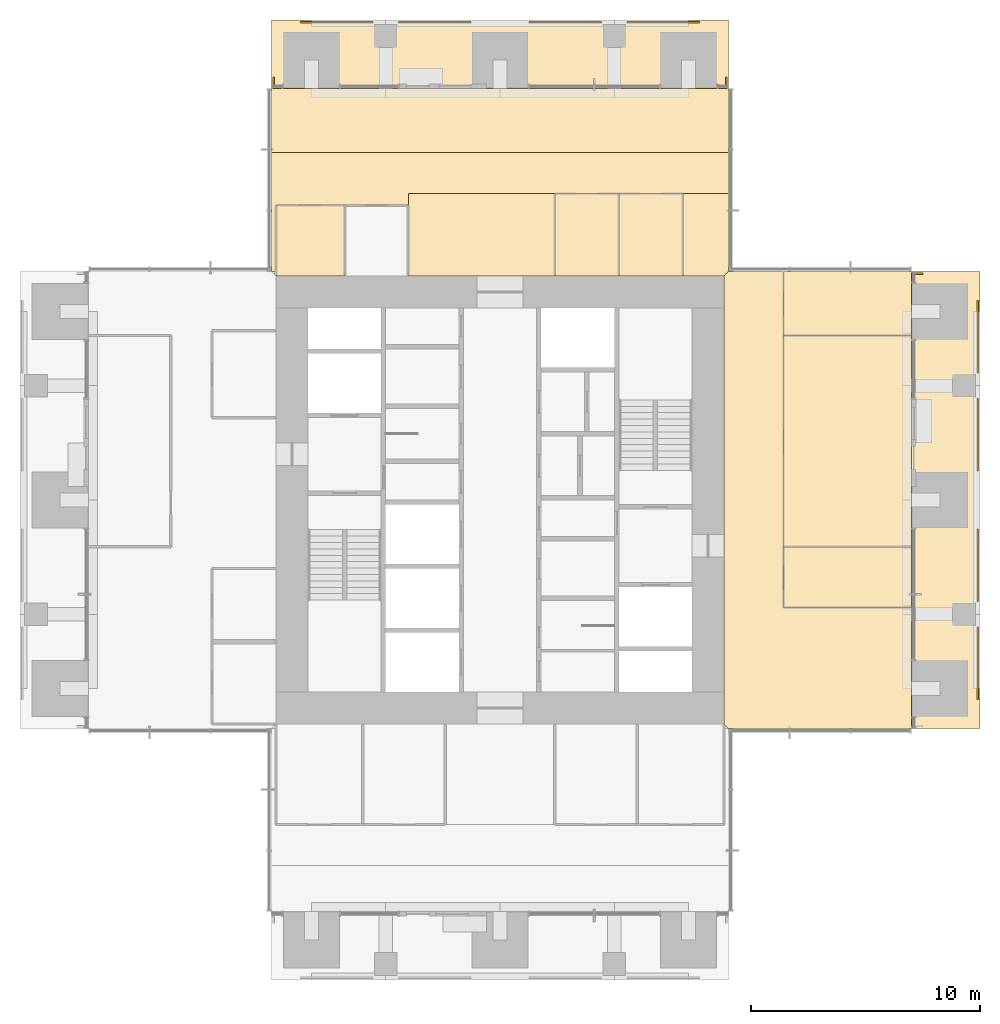
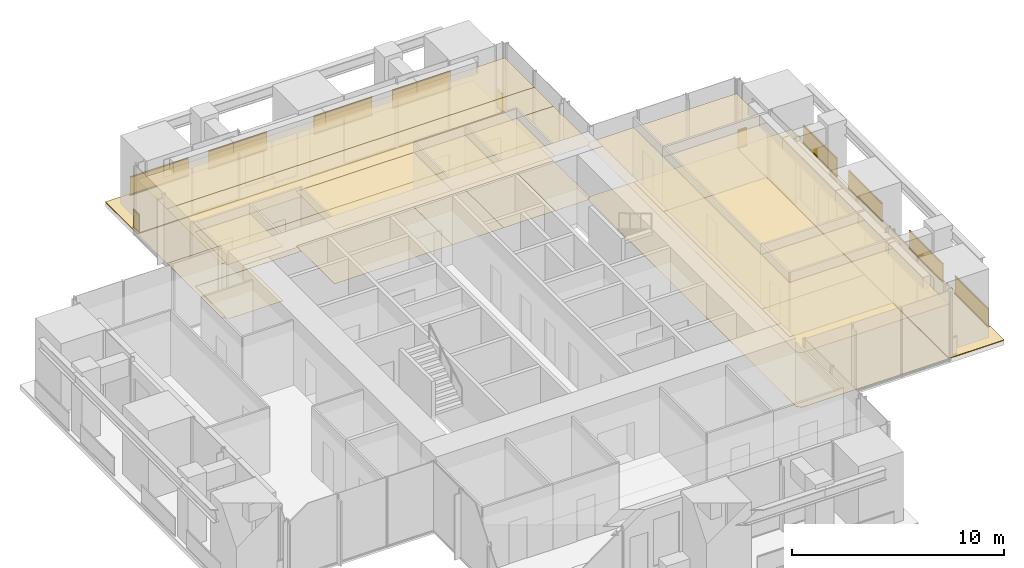
# One storey, part 16 of 17: 24 coverings, 11 railings.
"""IFC4 building model written with IfcOpenShell, lengths in metres."""

from ifc_helpers import new_model, si_unit, direction, frame, origin, origin_2d, place, context, subcontext, project, spatial, polyline, rectangle, outline, extrude, material, layer, layer_set, type_object, element, save


model = new_model("IFC4")

# Units and contexts
model_context = context("Model", 3, precision=1e-05, world=origin(), true_north=direction((0.0, 1.0)))
body_context = subcontext(model_context, "Body", "Model", "MODEL_VIEW")
ifc_project = project(units=[si_unit("LENGTHUNIT", "METRE"), si_unit("AREAUNIT", "SQUARE_METRE"), si_unit("VOLUMEUNIT", "CUBIC_METRE"), si_unit("PLANEANGLEUNIT", "RADIAN"), si_unit("MASSUNIT", "GRAM", prefix="KILO")], contexts=[model_context])

# Site, building, storey
site_placement = place(None, origin())
site = spatial("IfcSite", under=ifc_project, at=site_placement, CompositionType="ELEMENT")
building_placement = place(site_placement, origin())
building = spatial("IfcBuilding", under=site, at=building_placement, Name="Svetlomir Tower", CompositionType="ELEMENT")
storey_placement = place(building_placement, frame((0.0, 0.0, 198.5)))
storey = spatial("IfcBuildingStorey", under=building, at=storey_placement, Name="L47", CompositionType="ELEMENT", Elevation=198.5)

# Railings
ifc_material_1 = material(Name="Bronze anodised aluminium and laminated glass", Category="aluminium")
railing_type = type_object("IfcRailingType", Name="BALCONY GUARD GR1 1100", PredefinedType="GUARDRAIL", material=ifc_material_1)
for number, where, name in (
    (1, (41.89990234375, 12.27490234375, 0.0), "Loggia guard E L47 bay 1"),
    (2, (41.89990234375, 16.550048828125, 0.0), "Loggia guard E L47 bay 2"),
    (3, (41.89990234375, 22.27490234375, 0.0), "Loggia guard E L47 bay 3"),
    (4, (41.89990234375, 26.550048828125, 0.0), "Loggia guard E L47 bay 4"),
):
    element("IfcRailing", number, at=place(storey_placement, frame(where)), inside=storey, type_object=railing_type, Name=name, PredefinedType="GUARDRAIL", context=body_context, shape_type="SweptSolid", body=[
        extrude(rectangle(XDim=0.06005859375, YDim=0.10009765625, at=origin_2d()), frame((0.0, 0.0, 0.050048828125), z_axis=(0.0, 1.0, 0.0), x_axis=(-1.0, 0.0, 0.0)), (0.0, 0.0, 1.0), 3.175048828125),
        extrude(rectangle(XDim=0.021484375, YDim=0.960205078125, at=origin_2d()), frame((0.0, 0.0, 0.580078125), z_axis=(0.0, 1.0, 0.0), x_axis=(-1.0, 0.0, 0.0)), (0.0, 0.0, 1.0), 3.175048828125),
        extrude(rectangle(XDim=0.06005859375, YDim=0.0400390625, at=origin_2d()), frame((0.0, 0.0, 1.080078125), z_axis=(0.0, 1.0, 0.0), x_axis=(-1.0, 0.0, 0.0)), (0.0, 0.0, 1.0), 3.175048828125),
    ])
railing_placement = place(storey_placement, frame((39.5, 30.89990234375, 0.0)))
element("IfcRailing", 5, at=railing_placement, inside=storey, type_object=railing_type, Name="Loggia guard E L47 end 2", PredefinedType="GUARDRAIL", context=body_context, shape_type="SweptSolid", body=[
    extrude(rectangle(XDim=0.06005859375, YDim=0.10009765625, at=origin_2d()), frame((0.0, 0.0, 0.050048828125), z_axis=(-1.0, 0.0, 0.0), x_axis=(0.0, -1.0, 0.0)), (0.0, 0.0, 1.0), 0.5),
    extrude(rectangle(XDim=0.021484375, YDim=0.960205078125, at=origin_2d()), frame((0.0, 0.0, 0.580078125), z_axis=(-1.0, 0.0, 0.0), x_axis=(0.0, -1.0, 0.0)), (0.0, 0.0, 1.0), 0.5),
    extrude(rectangle(XDim=0.06005859375, YDim=0.0400390625, at=origin_2d()), frame((0.0, 0.0, 1.080078125), z_axis=(-1.0, 0.0, 0.0), x_axis=(0.0, -1.0, 0.0)), (0.0, 0.0, 1.0), 0.5),
])
for number, where, name in (
    (6, (12.27490234375, 41.89990234375, 0.0), "Loggia guard N L47 bay 1"),
    (7, (16.550048828125, 41.89990234375, 0.0), "Loggia guard N L47 bay 2"),
    (8, (22.27490234375, 41.89990234375, 0.0), "Loggia guard N L47 bay 3"),
    (9, (26.550048828125, 41.89990234375, 0.0), "Loggia guard N L47 bay 4"),
):
    element("IfcRailing", number, at=place(storey_placement, frame(where)), inside=storey, type_object=railing_type, Name=name, PredefinedType="GUARDRAIL", context=body_context, shape_type="SweptSolid", body=[
        extrude(rectangle(XDim=0.06005859375, YDim=0.10009765625, at=origin_2d()), frame((0.0, 0.0, 0.050048828125), z_axis=(1.0, 0.0, 0.0), x_axis=(0.0, 1.0, 0.0)), (0.0, 0.0, 1.0), 3.175048828125),
        extrude(rectangle(XDim=0.021484375, YDim=0.960205078125, at=origin_2d()), frame((0.0, 0.0, 0.580078125), z_axis=(1.0, 0.0, 0.0), x_axis=(0.0, 1.0, 0.0)), (0.0, 0.0, 1.0), 3.175048828125),
        extrude(rectangle(XDim=0.06005859375, YDim=0.0400390625, at=origin_2d()), frame((0.0, 0.0, 1.080078125), z_axis=(1.0, 0.0, 0.0), x_axis=(0.0, 1.0, 0.0)), (0.0, 0.0, 1.0), 3.175048828125),
    ])
for number, where, name in (
    (10, (11.10009765625, 39.5, 0.0), "Loggia guard N L47 end 1"),
    (11, (30.89990234375, 39.5, 0.0), "Loggia guard N L47 end 2"),
):
    element("IfcRailing", number, at=place(storey_placement, frame(where)), inside=storey, type_object=railing_type, Name=name, PredefinedType="GUARDRAIL", context=body_context, shape_type="SweptSolid", body=[
        extrude(rectangle(XDim=0.06005859375, YDim=0.10009765625, at=origin_2d()), frame((0.0, 0.0, 0.050048828125), z_axis=(0.0, -1.0, 0.0), x_axis=(1.0, 0.0, 0.0)), (0.0, 0.0, 1.0), 0.5),
        extrude(rectangle(XDim=0.021484375, YDim=0.960205078125, at=origin_2d()), frame((0.0, 0.0, 0.580078125), z_axis=(0.0, -1.0, 0.0), x_axis=(1.0, 0.0, 0.0)), (0.0, 0.0, 1.0), 0.5),
        extrude(rectangle(XDim=0.06005859375, YDim=0.0400390625, at=origin_2d()), frame((0.0, 0.0, 1.080078125), z_axis=(0.0, -1.0, 0.0), x_axis=(1.0, 0.0, 0.0)), (0.0, 0.0, 1.0), 0.5),
    ])

# Coverings
ifc_material_2 = material(Name="Granite paving slabs on pedestals", Category="masonry")
ifc_layer_1 = layer(ifc_material_2, 0.0400390625)
ifc_layer_set_1 = layer_set([ifc_layer_1], Name="Granite paving slabs on pedestals")
covering_type_1 = type_object("IfcCoveringType", Name="BALCONY PAVING 40", PredefinedType="USERDEFINED", material=ifc_layer_set_1)
covering_1_placement = place(storey_placement, origin())
element("IfcCovering", 12, at=covering_1_placement, inside=storey, type_object=covering_type_1, Name="Loggia paving E L47", ObjectType="BALCONY PAVING", PredefinedType="USERDEFINED", context=body_context, shape_type="SweptSolid", body=[
    extrude(outline(polyline([(39.0, 11.0), (42.0, 11.0), (42.0, 31.0), (39.0, 31.0), (39.0, 11.0)])), origin(), (0.0, 0.0, 1.0), 0.0400390625),
])
covering_2_placement = place(storey_placement, origin())
element("IfcCovering", 13, at=covering_2_placement, inside=storey, type_object=covering_type_1, Name="Loggia paving N L47", ObjectType="BALCONY PAVING", PredefinedType="USERDEFINED", context=body_context, shape_type="SweptSolid", body=[
    extrude(outline(polyline([(11.0, 39.0), (31.0, 39.0), (31.0, 42.0), (11.0, 42.0), (11.0, 39.0)])), origin(), (0.0, 0.0, 1.0), 0.0400390625),
])
ifc_material_3 = material(Name="Carpet tile", Category="textile")
ifc_layer_2 = layer(ifc_material_3, 0.010009765625)
ifc_layer_set_2 = layer_set([ifc_layer_2], Name="Carpet tile")
covering_type_2 = type_object("IfcCoveringType", Name="CARPET TILE FLOOR 10", PredefinedType="FLOORING", material=ifc_layer_set_2)
covering_3_placement = place(storey_placement, origin())
element("IfcCovering", 14, at=covering_3_placement, inside=storey, type_object=covering_type_2, Name="Floor finish L47-22", PredefinedType="FLOORING", context=body_context, shape_type="SweptSolid", body=[
    extrude(outline(polyline([(33.39990234375, 16.300048828125), (39.0, 16.300048828125), (39.0, 18.949951171875), (33.39990234375, 18.949951171875), (33.39990234375, 16.300048828125)])), origin(), (0.0, 0.0, 1.0), 0.010009765625),
])
covering_4_placement = place(storey_placement, origin())
element("IfcCovering", 15, at=covering_4_placement, inside=storey, type_object=covering_type_2, Name="Floor finish L47-23", PredefinedType="FLOORING", context=body_context, shape_type="SweptSolid", body=[
    extrude(outline(polyline([(33.39990234375, 18.949951171875), (39.0, 18.949951171875), (39.0, 28.199951171875), (33.39990234375, 28.199951171875), (33.39990234375, 18.949951171875)])), origin(), (0.0, 0.0, 1.0), 0.010009765625),
])
covering_5_placement = place(storey_placement, origin())
element("IfcCovering", 16, at=covering_5_placement, inside=storey, type_object=covering_type_2, Name="Floor finish L47-24", PredefinedType="FLOORING", context=body_context, shape_type="SweptSolid", body=[
    extrude(outline(polyline([(33.39990234375, 28.199951171875), (39.0, 28.199951171875), (39.0, 31.0), (33.39990234375, 31.0), (33.39990234375, 28.199951171875)])), origin(), (0.0, 0.0, 1.0), 0.010009765625),
])
covering_6_placement = place(storey_placement, origin())
element("IfcCovering", 17, at=covering_6_placement, inside=storey, type_object=covering_type_2, Name="Floor finish L47-25", PredefinedType="FLOORING", context=body_context, shape_type="SweptSolid", body=[
    extrude(outline(polyline([(11.199951171875, 30.800048828125), (14.199951171875, 30.800048828125), (14.199951171875, 33.89990234375), (11.199951171875, 33.89990234375), (11.199951171875, 30.800048828125)])), origin(), (0.0, 0.0, 1.0), 0.010009765625),
])
covering_7_placement = place(storey_placement, origin())
element("IfcCovering", 18, at=covering_7_placement, inside=storey, type_object=covering_type_2, Name="Floor finish L47-27", PredefinedType="FLOORING", context=body_context, shape_type="SweptSolid", body=[
    extrude(outline(polyline([(23.39990234375, 30.800048828125), (26.199951171875, 30.800048828125), (26.199951171875, 34.39990234375), (23.39990234375, 34.39990234375), (23.39990234375, 30.800048828125)])), origin(), (0.0, 0.0, 1.0), 0.010009765625),
])
covering_8_placement = place(storey_placement, origin())
element("IfcCovering", 19, at=covering_8_placement, inside=storey, type_object=covering_type_2, Name="Floor finish L47-28", PredefinedType="FLOORING", context=body_context, shape_type="SweptSolid", body=[
    extrude(outline(polyline([(26.199951171875, 30.800048828125), (29.0, 30.800048828125), (29.0, 34.39990234375), (26.199951171875, 34.39990234375), (26.199951171875, 30.800048828125)])), origin(), (0.0, 0.0, 1.0), 0.010009765625),
])
covering_9_placement = place(storey_placement, origin())
element("IfcCovering", 20, at=covering_9_placement, inside=storey, type_object=covering_type_2, Name="Floor finish L47-34", PredefinedType="FLOORING", context=body_context, shape_type="SweptSolid", body=[
    extrude(outline(polyline([(11.199951171875, 31.0), (11.0, 31.0), (11.0, 36.199951171875), (31.0, 36.199951171875), (31.0, 34.39990234375), (17.0, 34.39990234375), (17.0, 33.89990234375), (11.199951171875, 33.89990234375), (11.199951171875, 31.0)])), origin(), (0.0, 0.0, 1.0), 0.010009765625),
])
covering_10_placement = place(storey_placement, origin())
element("IfcCovering", 21, at=covering_10_placement, inside=storey, type_object=covering_type_2, Name="Floor finish L47-37", PredefinedType="FLOORING", context=body_context, shape_type="SweptSolid", body=[
    extrude(outline(polyline([(30.800048828125, 30.800048828125), (31.0, 31.0), (33.39990234375, 31.0), (33.39990234375, 16.300048828125), (39.0, 16.300048828125), (39.0, 11.0), (31.0, 11.0), (30.800048828125, 11.199951171875), (30.800048828125, 30.800048828125)])), origin(), (0.0, 0.0, 1.0), 0.010009765625),
])
covering_11_placement = place(storey_placement, origin())
element("IfcCovering", 22, at=covering_11_placement, inside=storey, type_object=covering_type_2, Name="Floor finish L47-38", PredefinedType="FLOORING", context=body_context, shape_type="SweptSolid", body=[
    extrude(outline(polyline([(17.0, 30.800048828125), (17.0, 34.39990234375), (23.39990234375, 34.39990234375), (23.39990234375, 30.800048828125), (17.0, 30.800048828125)])), origin(), (0.0, 0.0, 1.0), 0.010009765625),
])
covering_12_placement = place(storey_placement, origin())
element("IfcCovering", 23, at=covering_12_placement, inside=storey, type_object=covering_type_2, Name="Floor finish L47-39", PredefinedType="FLOORING", context=body_context, shape_type="SweptSolid", body=[
    extrude(outline(polyline([(29.0, 30.800048828125), (29.0, 34.39990234375), (31.0, 34.39990234375), (31.0, 31.0), (30.800048828125, 30.800048828125), (29.0, 30.800048828125)])), origin(), (0.0, 0.0, 1.0), 0.010009765625),
])
covering_13_placement = place(storey_placement, origin())
element("IfcCovering", 24, at=covering_13_placement, inside=storey, type_object=covering_type_2, Name="Floor finish L47-40", PredefinedType="FLOORING", context=body_context, shape_type="SweptSolid", body=[
    extrude(outline(polyline([(31.0, 39.0), (31.0, 36.199951171875), (11.0, 36.199951171875), (11.0, 39.0), (31.0, 39.0)])), origin(), (0.0, 0.0, 1.0), 0.010009765625),
])
ifc_material_4 = material(Name="Mineral fibre ceiling tile", Category="mineral")
ifc_layer_3 = layer(ifc_material_4, 0.02001953125)
ifc_layer_set_3 = layer_set([ifc_layer_3], Name="Mineral fibre ceiling tile")
covering_type_3 = type_object("IfcCoveringType", Name="SUSPENDED CEILING 20", PredefinedType="CEILING", material=ifc_layer_set_3)
covering_14_placement = place(storey_placement, frame((0.0, 0.0, 3.1298828125)))
element("IfcCovering", 25, at=covering_14_placement, inside=storey, type_object=covering_type_3, Name="Ceiling L47-22", PredefinedType="CEILING", context=body_context, shape_type="SweptSolid", body=[
    extrude(outline(polyline([(33.39990234375, 16.300048828125), (39.0, 16.300048828125), (39.0, 18.949951171875), (33.39990234375, 18.949951171875), (33.39990234375, 16.300048828125)])), origin(), (0.0, 0.0, 1.0), 0.02001953125),
])
covering_15_placement = place(storey_placement, frame((0.0, 0.0, 3.1298828125)))
element("IfcCovering", 26, at=covering_15_placement, inside=storey, type_object=covering_type_3, Name="Ceiling L47-23", PredefinedType="CEILING", context=body_context, shape_type="SweptSolid", body=[
    extrude(outline(polyline([(33.39990234375, 18.949951171875), (39.0, 18.949951171875), (39.0, 28.199951171875), (33.39990234375, 28.199951171875), (33.39990234375, 18.949951171875)])), origin(), (0.0, 0.0, 1.0), 0.02001953125),
])
covering_16_placement = place(storey_placement, frame((0.0, 0.0, 3.1298828125)))
element("IfcCovering", 27, at=covering_16_placement, inside=storey, type_object=covering_type_3, Name="Ceiling L47-24", PredefinedType="CEILING", context=body_context, shape_type="SweptSolid", body=[
    extrude(outline(polyline([(33.39990234375, 28.199951171875), (39.0, 28.199951171875), (39.0, 31.0), (33.39990234375, 31.0), (33.39990234375, 28.199951171875)])), origin(), (0.0, 0.0, 1.0), 0.02001953125),
])
covering_17_placement = place(storey_placement, frame((0.0, 0.0, 3.1298828125)))
element("IfcCovering", 28, at=covering_17_placement, inside=storey, type_object=covering_type_3, Name="Ceiling L47-25", PredefinedType="CEILING", context=body_context, shape_type="SweptSolid", body=[
    extrude(outline(polyline([(11.199951171875, 30.800048828125), (14.199951171875, 30.800048828125), (14.199951171875, 33.89990234375), (11.199951171875, 33.89990234375), (11.199951171875, 30.800048828125)])), origin(), (0.0, 0.0, 1.0), 0.02001953125),
])
covering_18_placement = place(storey_placement, frame((0.0, 0.0, 3.1298828125)))
element("IfcCovering", 29, at=covering_18_placement, inside=storey, type_object=covering_type_3, Name="Ceiling L47-27", PredefinedType="CEILING", context=body_context, shape_type="SweptSolid", body=[
    extrude(outline(polyline([(23.39990234375, 30.800048828125), (26.199951171875, 30.800048828125), (26.199951171875, 34.39990234375), (23.39990234375, 34.39990234375), (23.39990234375, 30.800048828125)])), origin(), (0.0, 0.0, 1.0), 0.02001953125),
])
covering_19_placement = place(storey_placement, frame((0.0, 0.0, 3.1298828125)))
element("IfcCovering", 30, at=covering_19_placement, inside=storey, type_object=covering_type_3, Name="Ceiling L47-28", PredefinedType="CEILING", context=body_context, shape_type="SweptSolid", body=[
    extrude(outline(polyline([(26.199951171875, 30.800048828125), (29.0, 30.800048828125), (29.0, 34.39990234375), (26.199951171875, 34.39990234375), (26.199951171875, 30.800048828125)])), origin(), (0.0, 0.0, 1.0), 0.02001953125),
])
covering_20_placement = place(storey_placement, frame((0.0, 0.0, 3.1298828125)))
element("IfcCovering", 31, at=covering_20_placement, inside=storey, type_object=covering_type_3, Name="Ceiling L47-34", PredefinedType="CEILING", context=body_context, shape_type="SweptSolid", body=[
    extrude(outline(polyline([(11.199951171875, 31.0), (11.0, 31.0), (11.0, 36.199951171875), (31.0, 36.199951171875), (31.0, 34.39990234375), (17.0, 34.39990234375), (17.0, 33.89990234375), (11.199951171875, 33.89990234375), (11.199951171875, 31.0)])), origin(), (0.0, 0.0, 1.0), 0.02001953125),
])
covering_21_placement = place(storey_placement, frame((0.0, 0.0, 3.1298828125)))
element("IfcCovering", 32, at=covering_21_placement, inside=storey, type_object=covering_type_3, Name="Ceiling L47-37", PredefinedType="CEILING", context=body_context, shape_type="SweptSolid", body=[
    extrude(outline(polyline([(30.800048828125, 30.800048828125), (31.0, 31.0), (33.39990234375, 31.0), (33.39990234375, 16.300048828125), (39.0, 16.300048828125), (39.0, 11.0), (31.0, 11.0), (30.800048828125, 11.199951171875), (30.800048828125, 30.800048828125)])), origin(), (0.0, 0.0, 1.0), 0.02001953125),
])
covering_22_placement = place(storey_placement, frame((0.0, 0.0, 3.1298828125)))
element("IfcCovering", 33, at=covering_22_placement, inside=storey, type_object=covering_type_3, Name="Ceiling L47-38", PredefinedType="CEILING", context=body_context, shape_type="SweptSolid", body=[
    extrude(outline(polyline([(17.0, 30.800048828125), (17.0, 34.39990234375), (23.39990234375, 34.39990234375), (23.39990234375, 30.800048828125), (17.0, 30.800048828125)])), origin(), (0.0, 0.0, 1.0), 0.02001953125),
])
covering_23_placement = place(storey_placement, frame((0.0, 0.0, 3.1298828125)))
element("IfcCovering", 34, at=covering_23_placement, inside=storey, type_object=covering_type_3, Name="Ceiling L47-39", PredefinedType="CEILING", context=body_context, shape_type="SweptSolid", body=[
    extrude(outline(polyline([(29.0, 30.800048828125), (29.0, 34.39990234375), (31.0, 34.39990234375), (31.0, 31.0), (30.800048828125, 30.800048828125), (29.0, 30.800048828125)])), origin(), (0.0, 0.0, 1.0), 0.02001953125),
])
covering_24_placement = place(storey_placement, frame((0.0, 0.0, 3.1298828125)))
element("IfcCovering", 35, at=covering_24_placement, inside=storey, type_object=covering_type_3, Name="Ceiling L47-40", PredefinedType="CEILING", context=body_context, shape_type="SweptSolid", body=[
    extrude(outline(polyline([(31.0, 39.0), (31.0, 36.199951171875), (11.0, 36.199951171875), (11.0, 39.0), (31.0, 39.0)])), origin(), (0.0, 0.0, 1.0), 0.02001953125),
])

save(model, "model.ifc")
